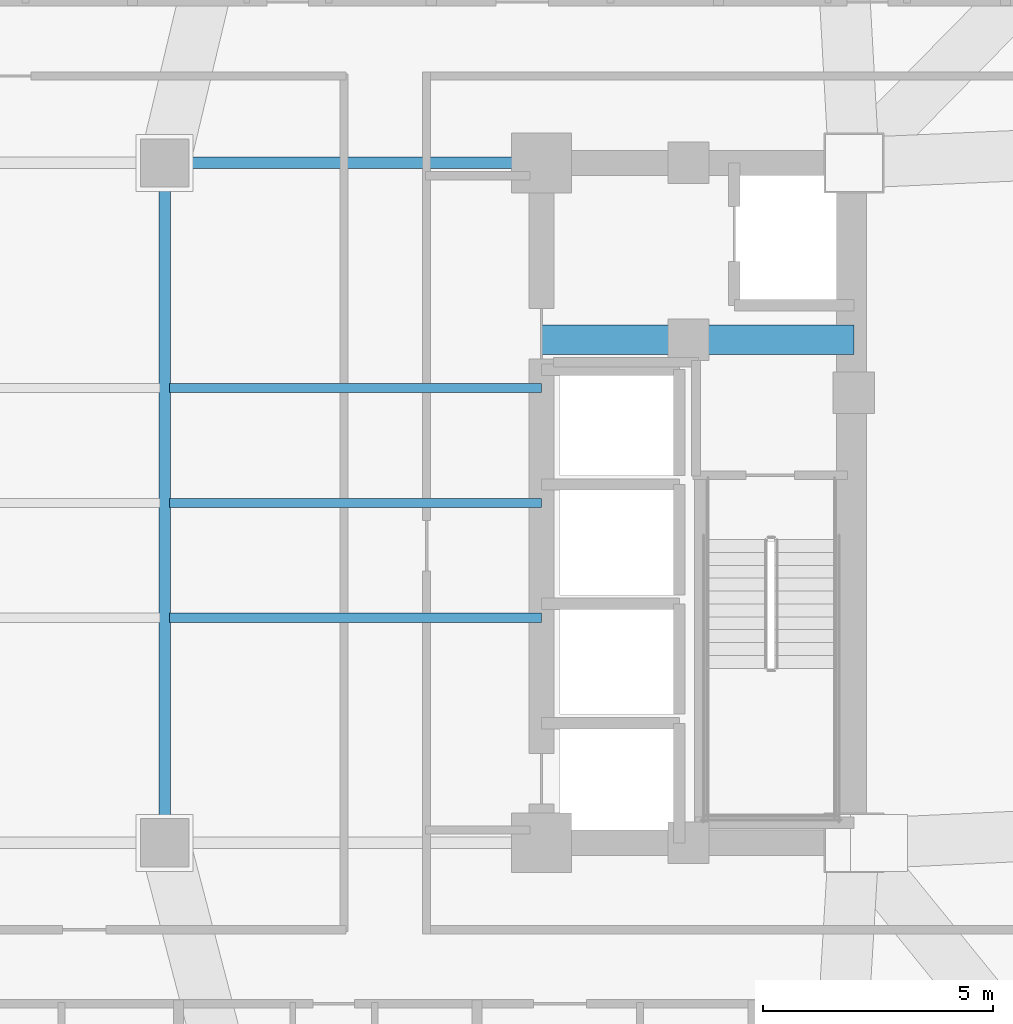
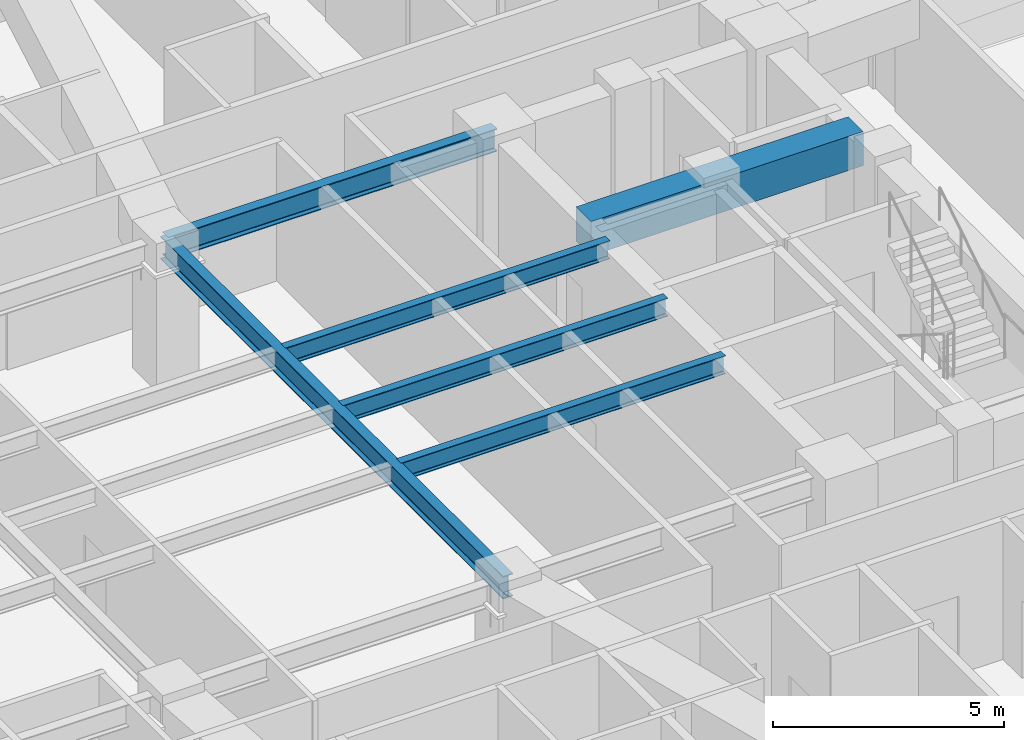
# One storey, part 3 of 16: 6 beams.
"""IFC4 building model written with IfcOpenShell, lengths in metres."""

from ifc_helpers import new_model, si_unit, direction, frame, origin, origin_2d, place, context, subcontext, project, spatial, rectangle, i_section, extrude, material, material_profile, profile_set, type_object, element, save


model = new_model("IFC4")

# Units and contexts
model_context = context("Model", 3, precision=1e-05, world=origin(), true_north=direction((0.0, 1.0)))
body_context = subcontext(model_context, "Body", "Model", "MODEL_VIEW")
ifc_project = project(units=[si_unit("LENGTHUNIT", "METRE"), si_unit("AREAUNIT", "SQUARE_METRE"), si_unit("VOLUMEUNIT", "CUBIC_METRE"), si_unit("PLANEANGLEUNIT", "RADIAN"), si_unit("MASSUNIT", "GRAM", prefix="KILO")], contexts=[model_context])

# Site, building, storey
site_placement = place(None, origin())
site = spatial("IfcSite", under=ifc_project, at=site_placement, CompositionType="ELEMENT")
building_placement = place(site_placement, origin())
building = spatial("IfcBuilding", under=site, at=building_placement, Name="Voryun Gate Residences", CompositionType="ELEMENT")
storey_placement = place(building_placement, frame((0.0, 0.0, 89.699951171875)))
storey = spatial("IfcBuildingStorey", under=building, at=storey_placement, Name="L21", CompositionType="ELEMENT", Elevation=89.699951171875)

# Beams
ifc_material_1 = material(Name="Concrete C60/75", Category="concrete")
ifc_material_profile_1 = material_profile(ifc_material_1, rectangle(XDim=0.64990234375, YDim=0.89990234375, at=origin_2d()), Name="RC-650x900")
ifc_profile_set_1 = profile_set([ifc_material_profile_1], Name="Concrete C60/75")
beam_type_1 = type_object("IfcBeamType", Name="BM_COUP_RC900", PredefinedType="LINTEL", material=ifc_profile_set_1)
beam_1_placement = place(storey_placement, frame((12.39990234375, 3.550048828125, 3.199951171875), z_axis=(1.0, 0.0, 0.0), x_axis=(0.0, 1.0, 0.0)))
element("IfcBeam", 1, at=beam_1_placement, inside=storey, type_object=beam_type_1, Name="BM-L21-EC1", PredefinedType="LINTEL", context=body_context, shape_type="SweptSolid", body=[
    extrude(rectangle(XDim=0.64990234375, YDim=0.89990234375, at=origin_2d()), origin(), (0.0, 0.0, 1.0), 6.800048828125),
])
ifc_material_2 = material(Name="Steel SM355", Category="steel")
ifc_material_profile_2 = material_profile(ifc_material_2, i_section(OverallWidth=0.25, OverallDepth=0.60009765625, WebThickness=0.011962890625, FlangeThickness=0.02197265625, FilletRadius=0.01806640625, at=origin_2d()), Name="H-600x250x12x22")
ifc_profile_set_2 = profile_set([ifc_material_profile_2], Name="Steel SM355")
beam_type_2 = type_object("IfcBeamType", Name="BM_GIRD_600", PredefinedType="USERDEFINED", material=ifc_profile_set_2)
beam_2_placement = place(storey_placement, frame((4.199951171875, 7.39990234375, 3.35009765625), z_axis=(1.0, 0.0, 0.0), x_axis=(0.0, 1.0, 0.0)))
element("IfcBeam", 2, at=beam_2_placement, inside=storey, type_object=beam_type_2, Name="BM-L21-SPG3-N", ObjectType="GIRDER", PredefinedType="USERDEFINED", context=body_context, shape_type="SweptSolid", body=[
    extrude(i_section(OverallWidth=0.25, OverallDepth=0.60009765625, WebThickness=0.011962890625, FlangeThickness=0.02197265625, FilletRadius=0.01806640625, at=origin_2d()), origin(), (0.0, 0.0, 1.0), 8.199951171875),
])
beam_3_placement = place(storey_placement, frame((4.199951171875, -7.39990234375, 3.35009765625), z_axis=(0.0, 1.0, 0.0), x_axis=(-1.0, 0.0, 0.0)))
element("IfcBeam", 3, at=beam_3_placement, inside=storey, type_object=beam_type_2, Name="BM-L21-SPX-E", ObjectType="GIRDER", PredefinedType="USERDEFINED", context=body_context, shape_type="SweptSolid", body=[
    extrude(i_section(OverallWidth=0.25, OverallDepth=0.60009765625, WebThickness=0.011962890625, FlangeThickness=0.02197265625, FilletRadius=0.01806640625, at=origin_2d()), origin(), (0.0, 0.0, 1.0), 14.7998046875),
])
ifc_material_3 = material(Name="Steel SM355", Category="steel")
ifc_material_profile_3 = material_profile(ifc_material_3, i_section(OverallWidth=0.199951171875, OverallDepth=0.47998046875, WebThickness=0.010009765625, FlangeThickness=0.01806640625, FilletRadius=0.01806640625, at=origin_2d()), Name="H-480x200x10x18")
ifc_profile_set_3 = profile_set([ifc_material_profile_3], Name="Steel SM355")
beam_type_3 = type_object("IfcBeamType", Name="BM_SEC_480", PredefinedType="BEAM", material=ifc_profile_set_3)
for number, where, z_axis, x_axis, name in (
    (4, (4.300048828125, -2.5, 3.41015625), (1.0, 0.0, 0.0), (0.0, 1.0, 0.0), "BM-L21-SEC-CS3"),
    (5, (4.300048828125, 0.0, 3.41015625), (1.0, 0.0, 0.0), (0.0, 1.0, 0.0), "BM-L21-SEC-CM3"),
    (6, (4.300048828125, 2.5, 3.41015625), (1.0, 0.0, 0.0), (0.0, 1.0, 0.0), "BM-L21-SEC-CN3"),
):
    element("IfcBeam", number, at=place(storey_placement, frame(where, z_axis=z_axis, x_axis=x_axis)), inside=storey, type_object=beam_type_3, Name=name, PredefinedType="BEAM", context=body_context, shape_type="SweptSolid", body=[
        extrude(i_section(OverallWidth=0.199951171875, OverallDepth=0.47998046875, WebThickness=0.010009765625, FlangeThickness=0.01806640625, FilletRadius=0.01806640625, at=origin_2d()), origin(), (0.0, 0.0, 1.0), 8.099853515625),
    ])

save(model, "model.ifc")
